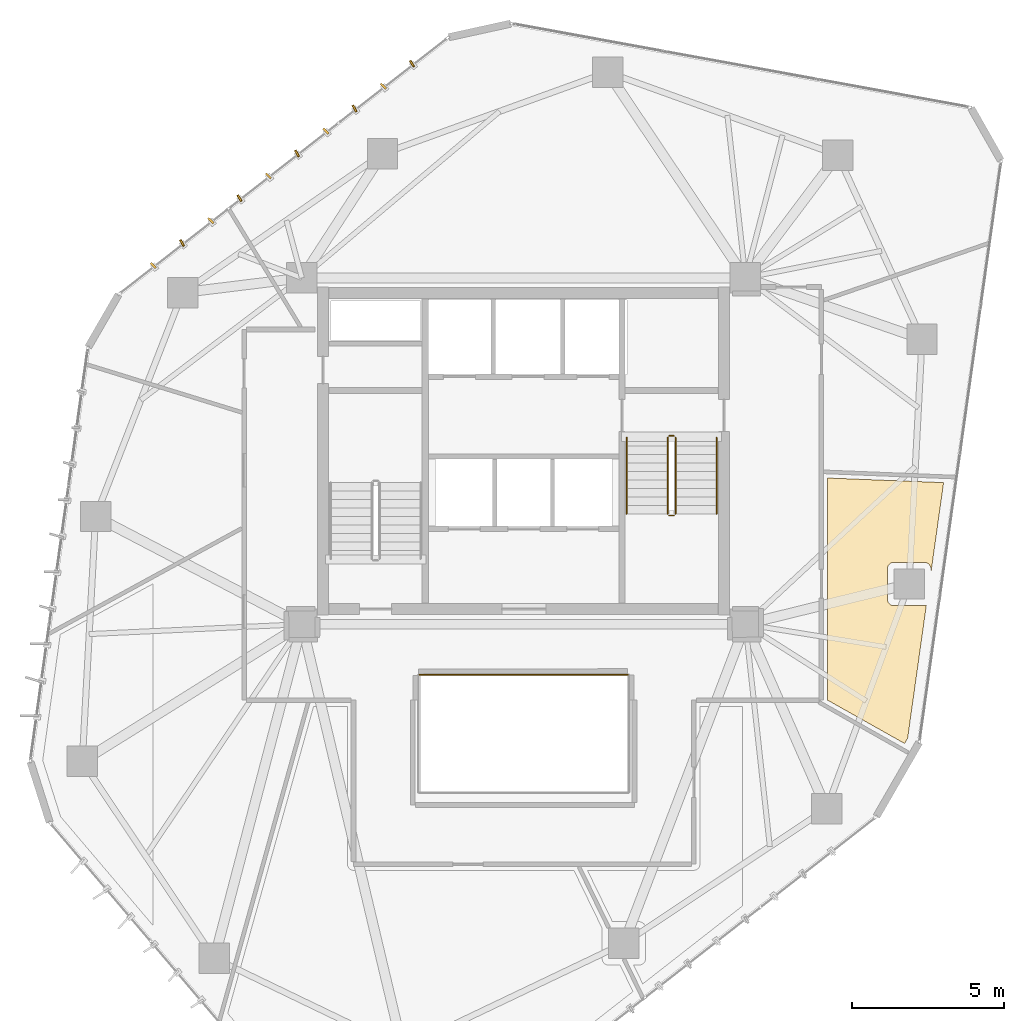
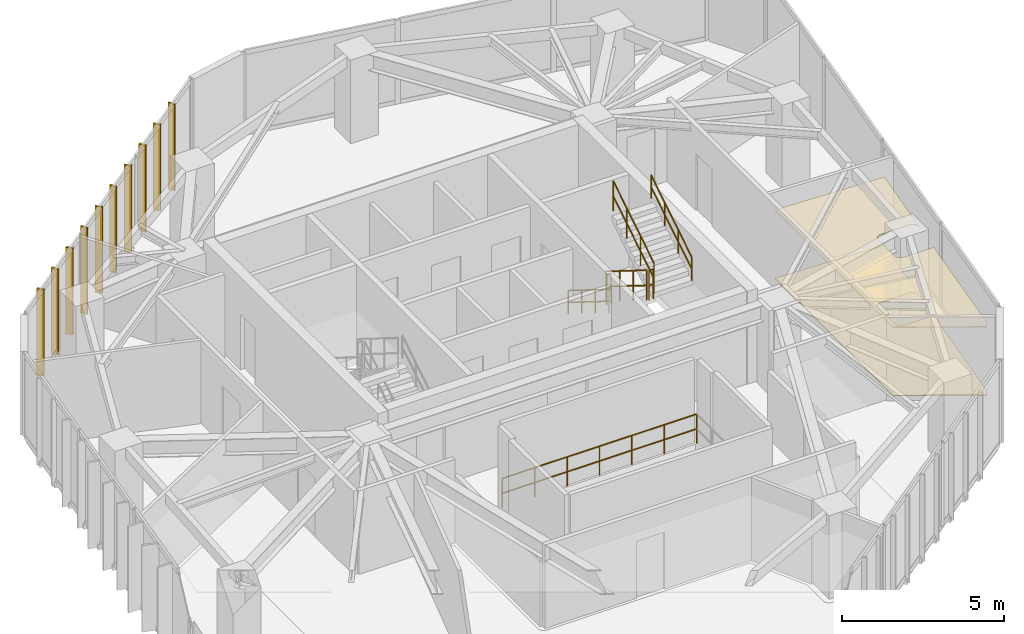
# One storey, part 21 of 21: 10 shading devices, 7 railings, 2 coverings.
"""IFC4 building model written with IfcOpenShell, lengths in metres."""

from ifc_helpers import new_model, si_unit, direction, frame, origin, origin_2d, place, context, subcontext, project, spatial, polyline, rectangle, circle, outline, extrude, source, transform, mapped, material, layer, layer_set, type_object, type_shapes, element, save


model = new_model("IFC4")

# Units and contexts
model_context = context("Model", 3, precision=1e-05, world=origin(), true_north=direction((0.0, 1.0)))
body_context = subcontext(model_context, "Body", "Model", "MODEL_VIEW")
ifc_project = project(units=[si_unit("LENGTHUNIT", "METRE"), si_unit("AREAUNIT", "SQUARE_METRE"), si_unit("VOLUMEUNIT", "CUBIC_METRE"), si_unit("PLANEANGLEUNIT", "RADIAN"), si_unit("MASSUNIT", "GRAM", prefix="KILO")], contexts=[model_context])

# Site, building, storey
site_placement = place(None, origin())
site = spatial("IfcSite", under=ifc_project, at=site_placement, CompositionType="ELEMENT")
building_placement = place(site_placement, origin())
building = spatial("IfcBuilding", under=site, at=building_placement, Name="Talar Marvaseh", CompositionType="ELEMENT")
storey_placement = place(building_placement, frame((0.0, 0.0, 232.699951171875)))
storey = spatial("IfcBuildingStorey", under=building, at=storey_placement, Name="L61", CompositionType="ELEMENT", Elevation=232.699951171875)

# Railings
ifc_material_1 = material(Name="Stainless Steel Grade 316", Category="steel")
railing_type_1 = type_object("IfcRailingType", Name="Brushed Stainless Wall Pitch Handrail 900", PredefinedType="HANDRAIL", material=ifc_material_1)
railing_1_placement = place(storey_placement, frame((29.389892578125, 31.64990234375, 0.175048828125)))
element("IfcRailing", 1, at=railing_1_placement, inside=storey, type_object=railing_type_1, Name="L61 ST-2 stair handrail 1", PredefinedType="HANDRAIL", context=body_context, shape_type="SweptSolid", body=[
    extrude(circle(Radius=0.02392578125, at=origin_2d()), frame((0.0, 0.0, 0.8759765625), z_axis=(0.0, -0.848007534815, 0.529984170421), x_axis=(1.0, 0.0, 0.0)), (0.0, 0.0, 1.0), 2.9716796875),
    extrude(circle(Radius=0.02392578125, at=origin_2d()), frame((0.0, 0.0, 0.42578125), z_axis=(0.0, -0.848007534815, 0.529984170421), x_axis=(1.0, 0.0, 0.0)), (0.0, 0.0, 1.0), 2.9716796875),
    extrude(circle(Radius=0.02099609375, at=origin_2d()), origin(), (0.0, 0.0, 1.0), 0.851806640625),
    extrude(circle(Radius=0.02099609375, at=origin_2d()), frame((0.0, -0.840087890625, 0.52490234375)), (0.0, 0.0, 1.0), 0.851806640625),
    extrude(circle(Radius=0.02099609375, at=origin_2d()), frame((0.0, -1.679931640625, 1.050048828125)), (0.0, 0.0, 1.0), 0.851806640625),
    extrude(circle(Radius=0.02099609375, at=origin_2d()), frame((0.0, -2.52001953125, 1.574951171875)), (0.0, 0.0, 1.0), 0.851806640625),
])
railing_2_placement = place(storey_placement, frame((32.35009765625, 29.1298828125, 1.925048828125)))
element("IfcRailing", 2, at=railing_2_placement, inside=storey, type_object=railing_type_1, Name="L61 ST-2 stair handrail 2", PredefinedType="HANDRAIL", context=body_context, shape_type="SweptSolid", body=[
    extrude(circle(Radius=0.02392578125, at=origin_2d()), frame((0.0, 0.0, 0.8759765625), z_axis=(0.0, 0.848007534815, 0.529984170421), x_axis=(-1.0, 0.0, 0.0)), (0.0, 0.0, 1.0), 2.9716796875),
    extrude(circle(Radius=0.02392578125, at=origin_2d()), frame((0.0, 0.0, 0.42578125), z_axis=(0.0, 0.848007534815, 0.529984170421), x_axis=(-1.0, 0.0, 0.0)), (0.0, 0.0, 1.0), 2.9716796875),
    extrude(circle(Radius=0.02099609375, at=origin_2d()), origin(), (0.0, 0.0, 1.0), 0.851806640625),
    extrude(circle(Radius=0.02099609375, at=origin_2d()), frame((0.0, 0.840087890625, 0.52490234375)), (0.0, 0.0, 1.0), 0.851806640625),
    extrude(circle(Radius=0.02099609375, at=origin_2d()), frame((0.0, 1.679931640625, 1.050048828125)), (0.0, 0.0, 1.0), 0.851806640625),
    extrude(circle(Radius=0.02099609375, at=origin_2d()), frame((0.0, 2.52001953125, 1.574951171875)), (0.0, 0.0, 1.0), 0.851806640625),
])
ifc_material_2 = material(Name="Tempered Clear Glass", Category="glass")
railing_type_2 = type_object("IfcRailingType", Name="Interior Atrium Edge Balustrade 1120", PredefinedType="BALUSTRADE", material=ifc_material_2)
railing_3_placement = place(storey_placement, frame((29.4697265625, 23.839111328125, 0.0)))
element("IfcRailing", 3, at=railing_3_placement, inside=storey, type_object=railing_type_2, Name="L61 Internal Daylight Atrium Balustrade 3", PredefinedType="BALUSTRADE", context=body_context, shape_type="SweptSolid", body=[
    extrude(circle(Radius=0.02392578125, at=origin_2d()), frame((0.0, 0.0, 1.09619140625), z_axis=(-1.0, 0.0, 0.0), x_axis=(0.0, -1.0, 0.0)), (0.0, 0.0, 1.0), 6.939453125),
    extrude(circle(Radius=0.02392578125, at=origin_2d()), frame((0.0, 0.0, 0.5361328125), z_axis=(-1.0, 0.0, 0.0), x_axis=(0.0, -1.0, 0.0)), (0.0, 0.0, 1.0), 6.939453125),
    extrude(circle(Radius=0.02099609375, at=origin_2d()), origin(), (0.0, 0.0, 1.0), 1.072021484375),
    extrude(circle(Radius=0.02099609375, at=origin_2d()), frame((-1.156494140625, 0.0, 0.0)), (0.0, 0.0, 1.0), 1.072021484375),
    extrude(circle(Radius=0.02099609375, at=origin_2d()), frame((-2.313232421875, 0.0, 0.0)), (0.0, 0.0, 1.0), 1.072021484375),
    extrude(circle(Radius=0.02099609375, at=origin_2d()), frame((-3.4697265625, 0.0, 0.0)), (0.0, 0.0, 1.0), 1.072021484375),
    extrude(circle(Radius=0.02099609375, at=origin_2d()), frame((-4.626220703125, 0.0, 0.0)), (0.0, 0.0, 1.0), 1.072021484375),
    extrude(circle(Radius=0.02099609375, at=origin_2d()), frame((-5.782958984375, 0.0, 0.0)), (0.0, 0.0, 1.0), 1.072021484375),
    extrude(circle(Radius=0.02099609375, at=origin_2d()), frame((-6.939453125, 0.0, 0.0)), (0.0, 0.0, 1.0), 1.072021484375),
])
railing_type_3 = type_object("IfcRailingType", Name="Painted Steel Core Stair Well Guardrail 1150", PredefinedType="GUARDRAIL", material=ifc_material_1)
railing_4_placement = place(storey_placement, frame((30.739990234375, 31.64990234375, 0.175048828125)))
element("IfcRailing", 4, at=railing_4_placement, inside=storey, type_object=railing_type_3, Name="L61 ST-2 stair guard 1", PredefinedType="GUARDRAIL", context=body_context, shape_type="SweptSolid", body=[
    extrude(circle(Radius=0.02392578125, at=origin_2d()), frame((0.0, 0.0, 1.1259765625), z_axis=(0.0, -0.848007534815, 0.529984170421), x_axis=(1.0, 0.0, 0.0)), (0.0, 0.0, 1.0), 2.9716796875),
    extrude(circle(Radius=0.02392578125, at=origin_2d()), frame((0.0, 0.0, 0.55078125), z_axis=(0.0, -0.848007534815, 0.529984170421), x_axis=(1.0, 0.0, 0.0)), (0.0, 0.0, 1.0), 2.9716796875),
    extrude(circle(Radius=0.02099609375, at=origin_2d()), origin(), (0.0, 0.0, 1.0), 1.101806640625),
    extrude(circle(Radius=0.02099609375, at=origin_2d()), frame((0.0, -0.840087890625, 0.52490234375)), (0.0, 0.0, 1.0), 1.101806640625),
    extrude(circle(Radius=0.02099609375, at=origin_2d()), frame((0.0, -1.679931640625, 1.050048828125)), (0.0, 0.0, 1.0), 1.101806640625),
    extrude(circle(Radius=0.02099609375, at=origin_2d()), frame((0.0, -2.52001953125, 1.574951171875)), (0.0, 0.0, 1.0), 1.101806640625),
])
railing_5_placement = place(storey_placement, frame((30.7900390625, 29.080078125, 1.75)))
element("IfcRailing", 5, at=railing_5_placement, inside=storey, type_object=railing_type_3, Name="L61 ST-2 stair guard 2", PredefinedType="GUARDRAIL", context=body_context, shape_type="SweptSolid", body=[
    extrude(circle(Radius=0.02392578125, at=origin_2d()), frame((0.0, 0.0, 1.1259765625), z_axis=(1.0, 0.0, 0.0), x_axis=(0.0, 1.0, 0.0)), (0.0, 0.0, 1.0), 0.159912109375),
    extrude(circle(Radius=0.02392578125, at=origin_2d()), frame((0.0, 0.0, 0.55078125), z_axis=(1.0, 0.0, 0.0), x_axis=(0.0, 1.0, 0.0)), (0.0, 0.0, 1.0), 0.159912109375),
    extrude(circle(Radius=0.02099609375, at=origin_2d()), origin(), (0.0, 0.0, 1.0), 1.101806640625),
    extrude(circle(Radius=0.02099609375, at=origin_2d()), frame((0.159912109375, 0.0, 0.0)), (0.0, 0.0, 1.0), 1.101806640625),
])
railing_6_placement = place(storey_placement, frame((31.0, 29.1298828125, 1.925048828125)))
element("IfcRailing", 6, at=railing_6_placement, inside=storey, type_object=railing_type_3, Name="L61 ST-2 stair guard 3", PredefinedType="GUARDRAIL", context=body_context, shape_type="SweptSolid", body=[
    extrude(circle(Radius=0.02392578125, at=origin_2d()), frame((0.0, 0.0, 1.1259765625), z_axis=(0.0, 0.848007534815, 0.529984170421), x_axis=(-1.0, 0.0, 0.0)), (0.0, 0.0, 1.0), 2.9716796875),
    extrude(circle(Radius=0.02392578125, at=origin_2d()), frame((0.0, 0.0, 0.55078125), z_axis=(0.0, 0.848007534815, 0.529984170421), x_axis=(-1.0, 0.0, 0.0)), (0.0, 0.0, 1.0), 2.9716796875),
    extrude(circle(Radius=0.02099609375, at=origin_2d()), origin(), (0.0, 0.0, 1.0), 1.101806640625),
    extrude(circle(Radius=0.02099609375, at=origin_2d()), frame((0.0, 0.840087890625, 0.52490234375)), (0.0, 0.0, 1.0), 1.101806640625),
    extrude(circle(Radius=0.02099609375, at=origin_2d()), frame((0.0, 1.679931640625, 1.050048828125)), (0.0, 0.0, 1.0), 1.101806640625),
    extrude(circle(Radius=0.02099609375, at=origin_2d()), frame((0.0, 2.52001953125, 1.574951171875)), (0.0, 0.0, 1.0), 1.101806640625),
])
railing_7_placement = place(storey_placement, frame((30.7900390625, 31.699951171875, 0.0)))
element("IfcRailing", 7, at=railing_7_placement, inside=storey, type_object=railing_type_3, Name="L61 ST-2 stair guard 4", PredefinedType="GUARDRAIL", context=body_context, shape_type="SweptSolid", body=[
    extrude(circle(Radius=0.02392578125, at=origin_2d()), frame((0.0, 0.0, 1.1259765625), z_axis=(1.0, 0.0, 0.0), x_axis=(0.0, 1.0, 0.0)), (0.0, 0.0, 1.0), 0.159912109375),
    extrude(circle(Radius=0.02392578125, at=origin_2d()), frame((0.0, 0.0, 0.55078125), z_axis=(1.0, 0.0, 0.0), x_axis=(0.0, 1.0, 0.0)), (0.0, 0.0, 1.0), 0.159912109375),
    extrude(circle(Radius=0.02099609375, at=origin_2d()), origin(), (0.0, 0.0, 1.0), 1.101806640625),
    extrude(circle(Radius=0.02099609375, at=origin_2d()), frame((0.159912109375, 0.0, 0.0)), (0.0, 0.0, 1.0), 1.101806640625),
])

# Coverings
ifc_material_3 = material(Name="Mineral Fibre Acoustic Ceiling")
ifc_layer_1 = layer(ifc_material_3, 0.02490234375)
ifc_layer_set_1 = layer_set([ifc_layer_1], Name="Mineral Fibre Acoustic Ceiling")
covering_type_1 = type_object("IfcCoveringType", Name="Perforated Mineral Fibre Acoustic Suspended Ceiling", PredefinedType="CEILING", material=ifc_layer_set_1)
covering_1_placement = place(storey_placement, frame((0.0, 0.0, 2.570068359375)))
element("IfcCovering", 8, at=covering_1_placement, inside=storey, type_object=covering_type_1, Name="L61 Accessible WC Block Acoustic Ceiling", PredefinedType="CEILING", context=body_context, shape_type="SweptSolid", body=[
    extrude(outline(polyline([(39.822998046875, 30.162353515625), (39.4033203125, 27.17919921875), (39.40380859375, 27.32470703125), (39.403076171875, 27.34326171875), (39.400634765625, 27.36181640625), (39.396484375, 27.3798828125), (39.390380859375, 27.397705078125), (39.3828125, 27.41455078125), (39.373779296875, 27.430908203125), (39.36328125, 27.4462890625), (39.351318359375, 27.460693359375), (39.338134765625, 27.4736328125), (39.3232421875, 27.4873046875), (39.30908203125, 27.4990234375), (39.293701171875, 27.509521484375), (39.277587890625, 27.518310546875), (39.260498046875, 27.52587890625), (39.242919921875, 27.531494140625), (39.22509765625, 27.53564453125), (39.20654296875, 27.5380859375), (39.18798828125, 27.5390625), (38.177490234375, 27.53466796875), (38.157958984375, 27.53369140625), (38.138671875, 27.530517578125), (38.11962890625, 27.52587890625), (38.101318359375, 27.51904296875), (38.08349609375, 27.5107421875), (38.06689453125, 27.50048828125), (38.051025390625, 27.489013671875), (38.03662109375, 27.4755859375), (38.023681640625, 27.461181640625), (38.011962890625, 27.4453125), (38.001953125, 27.4287109375), (37.993408203125, 27.410888671875), (37.987060546875, 27.392578125), (37.982177734375, 27.37353515625), (37.9794921875, 27.35400390625), (37.978515625, 27.334716796875), (37.978515625, 26.3134765625), (37.9794921875, 26.293701171875), (37.982177734375, 26.2744140625), (37.987060546875, 26.25537109375), (37.99365234375, 26.23681640625), (38.001953125, 26.218994140625), (38.01220703125, 26.202392578125), (38.023681640625, 26.1865234375), (38.037109375, 26.172119140625), (38.051513671875, 26.15869140625), (38.0673828125, 26.147216796875), (38.083984375, 26.136962890625), (38.101806640625, 26.128662109375), (38.120361328125, 26.1220703125), (38.139404296875, 26.1171875), (38.15869140625, 26.114501953125), (38.178466796875, 26.11328125), (39.19970703125, 26.11328125), (39.21923828125, 26.114501953125), (39.238525390625, 26.1171875), (39.25439453125, 26.12109375), (38.6396484375, 21.751708984375), (38.53759765625, 21.5751953125), (36.0, 23.0029296875), (36.0, 30.313720703125), (39.822998046875, 30.162353515625)])), origin(), (0.0, 0.0, 1.0), 0.02490234375),
])
ifc_material_4 = material(Name="Porcelain Stoneware Tile", Category="masonry")
ifc_layer_2 = layer(ifc_material_4, 0.02001953125)
ifc_layer_set_2 = layer_set([ifc_layer_2], Name="Porcelain Stoneware Tile")
covering_type_2 = type_object("IfcCoveringType", Name="Polished Porcelain Stoneware Gallery Flooring", PredefinedType="FLOORING", material=ifc_layer_set_2)
covering_2_placement = place(storey_placement, origin())
element("IfcCovering", 9, at=covering_2_placement, inside=storey, type_object=covering_type_2, Name="L61 Accessible WC Block Flooring", PredefinedType="FLOORING", context=body_context, shape_type="SweptSolid", body=[
    extrude(outline(polyline([(39.822998046875, 30.162353515625), (39.4033203125, 27.17919921875), (39.40380859375, 27.32470703125), (39.403076171875, 27.34326171875), (39.400634765625, 27.36181640625), (39.396484375, 27.3798828125), (39.390380859375, 27.397705078125), (39.3828125, 27.41455078125), (39.373779296875, 27.430908203125), (39.36328125, 27.4462890625), (39.351318359375, 27.460693359375), (39.338134765625, 27.4736328125), (39.3232421875, 27.4873046875), (39.30908203125, 27.4990234375), (39.293701171875, 27.509521484375), (39.277587890625, 27.518310546875), (39.260498046875, 27.52587890625), (39.242919921875, 27.531494140625), (39.22509765625, 27.53564453125), (39.20654296875, 27.5380859375), (39.18798828125, 27.5390625), (38.177490234375, 27.53466796875), (38.157958984375, 27.53369140625), (38.138671875, 27.530517578125), (38.11962890625, 27.52587890625), (38.101318359375, 27.51904296875), (38.08349609375, 27.5107421875), (38.06689453125, 27.50048828125), (38.051025390625, 27.489013671875), (38.03662109375, 27.4755859375), (38.023681640625, 27.461181640625), (38.011962890625, 27.4453125), (38.001953125, 27.4287109375), (37.993408203125, 27.410888671875), (37.987060546875, 27.392578125), (37.982177734375, 27.37353515625), (37.9794921875, 27.35400390625), (37.978515625, 27.334716796875), (37.978515625, 26.3134765625), (37.9794921875, 26.293701171875), (37.982177734375, 26.2744140625), (37.987060546875, 26.25537109375), (37.99365234375, 26.23681640625), (38.001953125, 26.218994140625), (38.01220703125, 26.202392578125), (38.023681640625, 26.1865234375), (38.037109375, 26.172119140625), (38.051513671875, 26.15869140625), (38.0673828125, 26.147216796875), (38.083984375, 26.136962890625), (38.101806640625, 26.128662109375), (38.120361328125, 26.1220703125), (38.139404296875, 26.1171875), (38.15869140625, 26.114501953125), (38.178466796875, 26.11328125), (39.19970703125, 26.11328125), (39.21923828125, 26.114501953125), (39.238525390625, 26.1171875), (39.25439453125, 26.12109375), (38.6396484375, 21.751708984375), (38.53759765625, 21.5751953125), (36.0, 23.0029296875), (36.0, 30.313720703125), (39.822998046875, 30.162353515625)])), origin(), (0.0, 0.0, 1.0), 0.02001953125),
])

# Shading devices
ifc_material_5 = material(Name="Anodised Champagne Bronze Aluminium", Category="aluminium")
ifc_layer_3 = layer(ifc_material_5, 0.06494140625)
ifc_layer_set_3 = layer_set([ifc_layer_3], Name="Anodised Champagne Bronze Aluminium")
shading_device_type = type_object("IfcShadingDeviceType", Name="Sawtooth Champagne Bronze Vertical Fin 240", PredefinedType="USERDEFINED", material=ifc_layer_set_3)
shared_shape = source(origin(), body_context, "Body", "SweptSolid", [
    extrude(rectangle(XDim=0.239990234375, YDim=0.06494140625, at=origin_2d()), origin(), (0.0, 0.0, 1.0), 3.27001953125),
])
type_shapes(shading_device_type, [shared_shape])
for number, where, z_axis, x_axis, name in (
    (10, (13.8095703125, 37.308837890625, -0.119873046875), (0.0, 0.0, 1.0), (-0.718490578396, 0.695536691165, 0.0), "L61 Sawtooth Vertical Solar Fin"),
    (11, (14.756103515625, 38.04638671875, -0.119873046875), (0.0, 0.0, 1.0), (-0.498941577478, 0.866635622545, 0.0), "L61 Sawtooth Vertical Solar Fin"),
    (12, (15.702392578125, 38.7841796875, -0.119873046875), (0.0, 0.0, 1.0), (-0.718490578396, 0.695536691165, 0.0), "L61 Sawtooth Vertical Solar Fin"),
    (13, (16.64892578125, 39.52197265625, -0.119873046875), (0.0, 0.0, 1.0), (-0.498941577478, 0.866635622545, 0.0), "L61 Sawtooth Vertical Solar Fin"),
    (14, (17.595458984375, 40.259521484375, -0.119873046875), (0.0, 0.0, 1.0), (-0.718490578396, 0.695536691165, 0.0), "L61 Sawtooth Vertical Solar Fin"),
    (15, (18.5419921875, 40.997314453125, -0.119873046875), (0.0, 0.0, 1.0), (-0.498941577478, 0.866635622545, 0.0), "L61 Sawtooth Vertical Solar Fin"),
    (16, (19.48828125, 41.73486328125, -0.119873046875), (0.0, 0.0, 1.0), (-0.718490578396, 0.695536691165, 0.0), "L61 Sawtooth Vertical Solar Fin"),
    (17, (20.434814453125, 42.47265625, -0.119873046875), (0.0, 0.0, 1.0), (-0.498941577478, 0.866635622545, 0.0), "L61 Sawtooth Vertical Solar Fin"),
    (18, (21.38134765625, 43.210205078125, -0.119873046875), (0.0, 0.0, 1.0), (-0.718490578396, 0.695536691165, 0.0), "L61 Sawtooth Vertical Solar Fin"),
    (19, (22.327880859375, 43.947998046875, -0.119873046875), (0.0, 0.0, 1.0), (-0.498941577478, 0.866635622545, 0.0), "L61 Sawtooth Vertical Solar Fin"),
):
    element("IfcShadingDevice", number, at=place(storey_placement, frame(where, z_axis=z_axis, x_axis=x_axis)), inside=storey, type_object=shading_device_type, Name=name, ObjectType="FIN", PredefinedType="USERDEFINED", context=body_context, shape_type="MappedRepresentation", body=[
        mapped(shared_shape, transform((0.0, 0.0, 0.0), x_axis=(1.0, 0.0, 0.0), y_axis=(0.0, 1.0, 0.0), z_axis=(0.0, 0.0, 1.0), scale=1.0)),
    ])

save(model, "model.ifc")
